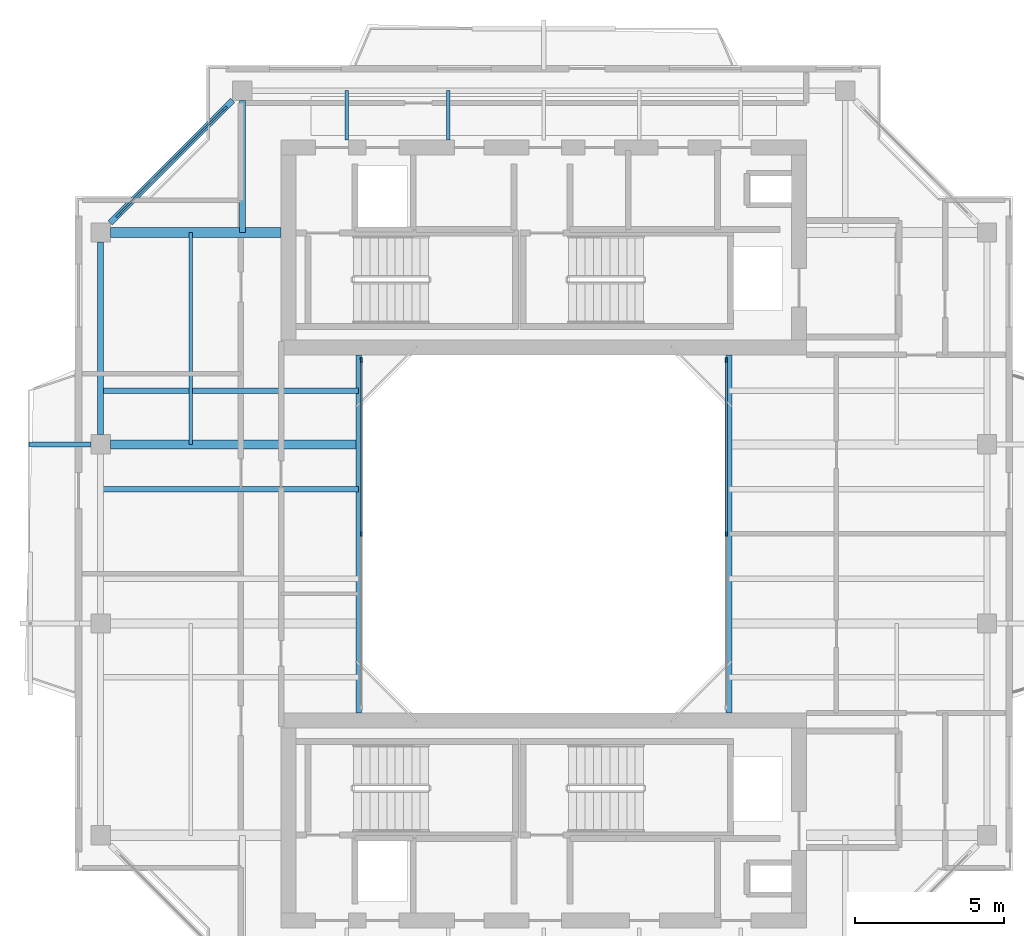
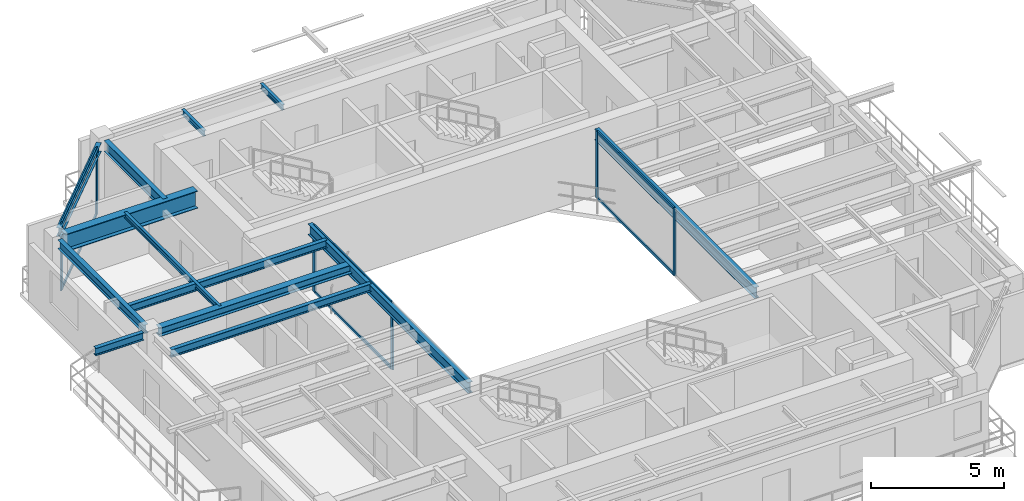
# One storey, part 5 of 15: 13 beams, 12 members, 3 elements without a shape of their own.
"""IFC4 building model written with IfcOpenShell, lengths in metres."""

from ifc_helpers import new_model, si_unit, direction, frame, origin, origin_2d, place, context, subcontext, project, spatial, rectangle, i_section, extrude, source, transform, mapped, material, layer, layer_set, material_profile, profile_set, type_object, element, aggregate, save


model = new_model("IFC4")

# Units and contexts
model_context = context("Model", 3, precision=1e-05, world=origin(), true_north=direction((0.0, 1.0)))
body_context = subcontext(model_context, "Body", "Model", "MODEL_VIEW")
ifc_project = project(units=[si_unit("LENGTHUNIT", "METRE"), si_unit("AREAUNIT", "SQUARE_METRE"), si_unit("VOLUMEUNIT", "CUBIC_METRE"), si_unit("PLANEANGLEUNIT", "RADIAN"), si_unit("MASSUNIT", "GRAM", prefix="KILO"), si_unit("THERMODYNAMICTEMPERATUREUNIT", "KELVIN"), si_unit("POWERUNIT", "WATT")], contexts=[model_context])

# Site, building, storey
site_placement = place(None, origin())
site = spatial("IfcSite", under=ifc_project, at=site_placement, CompositionType="ELEMENT")
building_placement = place(site_placement, origin())
building = spatial("IfcBuilding", under=site, at=building_placement, Name="Qiaomeng Ring Towers", CompositionType="ELEMENT")
storey_placement = place(building_placement, frame((0.0, 0.0, 237.25)))
storey = spatial("IfcBuildingStorey", under=building, at=storey_placement, Name="L69", CompositionType="ELEMENT", Elevation=237.25)

# Beams
ifc_material_1 = material(Name="Steel Q355B", Category="steel")
ifc_material_profile_1 = material_profile(ifc_material_1, i_section(OverallWidth=0.199951171875, OverallDepth=0.5, WebThickness=0.010009765625, FlangeThickness=0.01611328125, FilletRadius=0.02001953125, at=origin_2d()), Name="HN 500x200x10x16")
ifc_profile_set_1 = profile_set([ifc_material_profile_1], Name="Steel Q355B")
beam_type_1 = type_object("IfcBeamType", Name="STR-BM-HN500", PredefinedType="BEAM", material=ifc_profile_set_1)
shared_shape_1 = source(origin(), body_context, "Body", "SweptSolid", [
    extrude(i_section(OverallWidth=0.199951171875, OverallDepth=0.5, WebThickness=0.010009765625, FlangeThickness=0.01611328125, FilletRadius=0.02001953125, at=origin_2d()), origin(), (0.0, 0.0, 1.0), 12.0),
])
for number, where, z_axis, x_axis, name in (
    (1, (12.800048828125, 17.0, 2.820068359375), (0.0, 1.0, 0.0), (-1.0, 0.0, 0.0), "L69 beam STR-BM-L69-WELL-W"),
    (2, (25.199951171875, 17.0, 2.820068359375), (0.0, 1.0, 0.0), (-1.0, 0.0, 0.0), "L69 beam STR-BM-L69-WELL-E"),
):
    element("IfcBeam", number, at=place(storey_placement, frame(where, z_axis=z_axis, x_axis=x_axis)), inside=storey, type_object=beam_type_1, Name=name, PredefinedType="BEAM", context=body_context, shape_type="MappedRepresentation", body=[
        mapped(shared_shape_1, transform((0.0, 0.0, 0.0), x_axis=(1.0, 0.0, 0.0), y_axis=(0.0, 1.0, 0.0), z_axis=(0.0, 0.0, 1.0), scale=1.0)),
    ])
ifc_material_profile_2 = material_profile(ifc_material_1, i_section(OverallWidth=0.198974609375, OverallDepth=0.39599609375, WebThickness=0.007080078125, FlangeThickness=0.010986328125, FilletRadius=0.01611328125, at=origin_2d()), Name="HN 396x199x7x11")
ifc_profile_set_2 = profile_set([ifc_material_profile_2], Name="Steel Q355B")
beam_type_2 = type_object("IfcBeamType", Name="STR-BM-HN396", PredefinedType="SPANDREL", material=ifc_profile_set_2)
shared_shape_2 = source(origin(), body_context, "Body", "SweptSolid", [
    extrude(i_section(OverallWidth=0.198974609375, OverallDepth=0.39599609375, WebThickness=0.007080078125, FlangeThickness=0.010986328125, FilletRadius=0.01611328125, at=origin_2d()), origin(), (0.0, 0.0, 1.0), 5.800048828125),
])
beam_1_placement = place(storey_placement, frame((8.57568359375, 37.525634765625, 2.8720703125), z_axis=(-0.707106781187, -0.707106781187, 0.0), x_axis=(0.707106781187, -0.707106781187, 0.0)))
element("IfcBeam", 3, at=beam_1_placement, inside=storey, type_object=beam_type_2, Name="L69 beam STR-SP-L69-T1-N1-W4", PredefinedType="SPANDREL", context=body_context, shape_type="MappedRepresentation", body=[
    mapped(shared_shape_2, transform((0.0, 0.0, 0.0), x_axis=(1.0, 0.0, 0.0), y_axis=(0.0, 1.0, 0.0), z_axis=(0.0, 0.0, 1.0), scale=1.0)),
])
shared_shape_3 = source(origin(), body_context, "Body", "SweptSolid", [
    extrude(i_section(OverallWidth=0.198974609375, OverallDepth=0.39599609375, WebThickness=0.007080078125, FlangeThickness=0.010986328125, FilletRadius=0.01611328125, at=origin_2d()), origin(), (0.0, 0.0, 1.0), 6.451904296875),
])
beam_2_placement = place(storey_placement, frame((4.14990234375, 32.77587890625, 2.8720703125), z_axis=(0.0, -1.0, 0.0), x_axis=(1.0, 0.0, 0.0)))
element("IfcBeam", 4, at=beam_2_placement, inside=storey, type_object=beam_type_2, Name="L69 beam STR-SP-L69-T1-W4-W3", PredefinedType="SPANDREL", context=body_context, shape_type="MappedRepresentation", body=[
    mapped(shared_shape_3, transform((0.0, 0.0, 0.0), x_axis=(1.0, 0.0, 0.0), y_axis=(0.0, 1.0, 0.0), z_axis=(0.0, 0.0, 1.0), scale=1.0)),
])
ifc_material_2 = material(Name="Steel Q390GJC", Category="steel")
ifc_material_profile_3 = material_profile(ifc_material_2, i_section(OverallWidth=0.35009765625, OverallDepth=0.800048828125, WebThickness=0.01611328125, FlangeThickness=0.028076171875, at=origin_2d()), Name="WH 800x350x16x28")
ifc_profile_set_3 = profile_set([ifc_material_profile_3], Name="Steel Q390GJC")
beam_type_3 = type_object("IfcBeamType", Name="STR-BM-WH800", PredefinedType="BEAM", material=ifc_profile_set_3)
shared_shape_4 = source(origin(), body_context, "Body", "SweptSolid", [
    extrude(i_section(OverallWidth=0.35009765625, OverallDepth=0.800048828125, WebThickness=0.01611328125, FlangeThickness=0.028076171875, at=origin_2d()), origin(), (0.0, 0.0, 1.0), 5.725830078125),
])
beam_3_placement = place(storey_placement, frame((4.47412109375, 33.10009765625, 2.669921875), z_axis=(1.0, 0.0, 0.0), x_axis=(0.0, 1.0, 0.0)))
element("IfcBeam", 5, at=beam_3_placement, inside=storey, type_object=beam_type_3, Name="L69 beam STR-BM-L69-T1-RAD-W4", PredefinedType="BEAM", context=body_context, shape_type="MappedRepresentation", body=[
    mapped(shared_shape_4, transform((0.0, 0.0, 0.0), x_axis=(1.0, 0.0, 0.0), y_axis=(0.0, 1.0, 0.0), z_axis=(0.0, 0.0, 1.0), scale=1.0)),
])
ifc_material_profile_4 = material_profile(ifc_material_1, i_section(OverallWidth=0.198974609375, OverallDepth=0.49609375, WebThickness=0.009033203125, FlangeThickness=0.013916015625, FilletRadius=0.01806640625, at=origin_2d()), Name="HN 496x199x9x14")
ifc_profile_set_4 = profile_set([ifc_material_profile_4], Name="Steel Q355B")
beam_type_4 = type_object("IfcBeamType", Name="STR-BM-HN496", PredefinedType="BEAM", material=ifc_profile_set_4)
shared_shape_5 = source(origin(), body_context, "Body", "SweptSolid", [
    extrude(i_section(OverallWidth=0.198974609375, OverallDepth=0.49609375, WebThickness=0.009033203125, FlangeThickness=0.013916015625, FilletRadius=0.01806640625, at=origin_2d()), origin(), (0.0, 0.0, 1.0), 4.42578125),
])
beam_4_placement = place(storey_placement, frame((8.89990234375, 37.52587890625, 2.822021484375), z_axis=(0.0, -1.0, 0.0), x_axis=(1.0, 0.0, 0.0)))
element("IfcBeam", 6, at=beam_4_placement, inside=storey, type_object=beam_type_4, Name="L69 beam STR-BM-L69-T1-RAD-N1", PredefinedType="BEAM", context=body_context, shape_type="MappedRepresentation", body=[
    mapped(shared_shape_5, transform((0.0, 0.0, 0.0), x_axis=(1.0, 0.0, 0.0), y_axis=(0.0, 1.0, 0.0), z_axis=(0.0, 0.0, 1.0), scale=1.0)),
])
ifc_material_profile_5 = material_profile(ifc_material_1, i_section(OverallWidth=0.300048828125, OverallDepth=0.389892578125, WebThickness=0.010009765625, FlangeThickness=0.01611328125, FilletRadius=0.02197265625, at=origin_2d()), Name="HM 390x300x10x16")
ifc_profile_set_5 = profile_set([ifc_material_profile_5], Name="Steel Q355B")
beam_type_5 = type_object("IfcBeamType", Name="STR-BM-HM390", PredefinedType="BEAM", material=ifc_profile_set_5)
shared_shape_6 = source(origin(), body_context, "Body", "SweptSolid", [
    extrude(i_section(OverallWidth=0.300048828125, OverallDepth=0.389892578125, WebThickness=0.010009765625, FlangeThickness=0.01611328125, FilletRadius=0.02197265625, at=origin_2d()), origin(), (0.0, 0.0, 1.0), 8.325927734375),
])
beam_5_placement = place(storey_placement, frame((4.47412109375, 26.0, 2.875), z_axis=(1.0, 0.0, 0.0), x_axis=(0.0, 1.0, 0.0)))
element("IfcBeam", 7, at=beam_5_placement, inside=storey, type_object=beam_type_5, Name="L69 beam STR-BM-L69-T1-RAD-W3", PredefinedType="BEAM", context=body_context, shape_type="MappedRepresentation", body=[
    mapped(shared_shape_6, transform((0.0, 0.0, 0.0), x_axis=(1.0, 0.0, 0.0), y_axis=(0.0, 1.0, 0.0), z_axis=(0.0, 0.0, 1.0), scale=1.0)),
])
ifc_material_profile_6 = material_profile(ifc_material_1, i_section(OverallWidth=0.125, OverallDepth=0.25, WebThickness=0.006103515625, FlangeThickness=0.009033203125, FilletRadius=0.011962890625, at=origin_2d()), Name="HN 250x125x6x9")
ifc_profile_set_6 = profile_set([ifc_material_profile_6], Name="Steel Q355B")
beam_type_6 = type_object("IfcBeamType", Name="STR-BM-HN250", PredefinedType="JOIST", material=ifc_profile_set_6)
shared_shape_7 = source(origin(), body_context, "Body", "SweptSolid", [
    extrude(i_section(OverallWidth=0.125, OverallDepth=0.25, WebThickness=0.006103515625, FlangeThickness=0.009033203125, FilletRadius=0.011962890625, at=origin_2d()), origin(), (0.0, 0.0, 1.0), 1.650146484375),
])
for number, where, z_axis, x_axis, name in (
    (8, (12.39990234375, 36.199951171875, 2.945068359375), (0.0, 1.0, 0.0), (-1.0, 0.0, 0.0), "L69 beam STR-JST-L69-T1N-1"),
    (9, (15.800048828125, 36.199951171875, 2.945068359375), (0.0, 1.0, 0.0), (-1.0, 0.0, 0.0), "L69 beam STR-JST-L69-T1N-2"),
):
    element("IfcBeam", number, at=place(storey_placement, frame(where, z_axis=z_axis, x_axis=x_axis)), inside=storey, type_object=beam_type_6, Name=name, PredefinedType="JOIST", context=body_context, shape_type="MappedRepresentation", body=[
        mapped(shared_shape_7, transform((0.0, 0.0, 0.0), x_axis=(1.0, 0.0, 0.0), y_axis=(0.0, 1.0, 0.0), z_axis=(0.0, 0.0, 1.0), scale=1.0)),
    ])
ifc_material_profile_7 = material_profile(ifc_material_1, i_section(OverallWidth=0.175048828125, OverallDepth=0.35009765625, WebThickness=0.007080078125, FlangeThickness=0.010986328125, FilletRadius=0.013916015625, at=origin_2d()), Name="HN 350x175x7x11")
ifc_profile_set_7 = profile_set([ifc_material_profile_7], Name="Steel Q355B")
beam_type_7 = type_object("IfcBeamType", Name="STR-BM-HN350", PredefinedType="JOIST", material=ifc_profile_set_7)
shared_shape_8 = source(origin(), body_context, "Body", "SweptSolid", [
    extrude(i_section(OverallWidth=0.175048828125, OverallDepth=0.35009765625, WebThickness=0.007080078125, FlangeThickness=0.010986328125, FilletRadius=0.013916015625, at=origin_2d()), origin(), (0.0, 0.0, 1.0), 8.650146484375),
])
for number, where, z_axis, x_axis, name in (
    (10, (4.14990234375, 24.5, 2.89501953125), (1.0, 0.0, 0.0), (0.0, 1.0, 0.0), "L69 beam STR-JST-L69-T1W-3"),
    (11, (4.14990234375, 27.800048828125, 2.89501953125), (1.0, 0.0, 0.0), (0.0, 1.0, 0.0), "L69 beam STR-JST-L69-T1W-4"),
):
    element("IfcBeam", number, at=place(storey_placement, frame(where, z_axis=z_axis, x_axis=x_axis)), inside=storey, type_object=beam_type_7, Name=name, PredefinedType="JOIST", context=body_context, shape_type="MappedRepresentation", body=[
        mapped(shared_shape_8, transform((0.0, 0.0, 0.0), x_axis=(1.0, 0.0, 0.0), y_axis=(0.0, 1.0, 0.0), z_axis=(0.0, 0.0, 1.0), scale=1.0)),
    ])
shared_shape_9 = source(origin(), body_context, "Body", "SweptSolid", [
    extrude(i_section(OverallWidth=0.125, OverallDepth=0.25, WebThickness=0.006103515625, FlangeThickness=0.009033203125, FilletRadius=0.011962890625, at=origin_2d()), origin(), (0.0, 0.0, 1.0), 7.10009765625),
])
beam_6_placement = place(storey_placement, frame((7.175048828125, 26.0, 2.945068359375), z_axis=(0.0, 1.0, 0.0), x_axis=(-1.0, 0.0, 0.0)))
element("IfcBeam", 12, at=beam_6_placement, inside=storey, type_object=beam_type_6, Name="L69 beam STR-JST-L69-T1C-WN", PredefinedType="JOIST", context=body_context, shape_type="MappedRepresentation", body=[
    mapped(shared_shape_9, transform((0.0, 0.0, 0.0), x_axis=(1.0, 0.0, 0.0), y_axis=(0.0, 1.0, 0.0), z_axis=(0.0, 0.0, 1.0), scale=1.0)),
])
shared_shape_10 = source(origin(), body_context, "Body", "SweptSolid", [
    extrude(i_section(OverallWidth=0.175048828125, OverallDepth=0.35009765625, WebThickness=0.007080078125, FlangeThickness=0.010986328125, FilletRadius=0.013916015625, at=origin_2d()), origin(), (0.0, 0.0, 1.0), 2.075927734375),
])
beam_7_placement = place(storey_placement, frame((1.75, 26.0, 2.89501953125), z_axis=(1.0, 0.0, 0.0), x_axis=(0.0, 1.0, 0.0)))
element("IfcBeam", 13, at=beam_7_placement, inside=storey, type_object=beam_type_7, Name="L69 beam STR-BALBM-L69-W3", PredefinedType="JOIST", context=body_context, shape_type="MappedRepresentation", body=[
    mapped(shared_shape_10, transform((0.0, 0.0, 0.0), x_axis=(1.0, 0.0, 0.0), y_axis=(0.0, 1.0, 0.0), z_axis=(0.0, 0.0, 1.0), scale=1.0)),
])

# Curtain wall, members
ifc_material_3 = material(Name="Fluorocarbon dark-grey aluminium", Category="aluminium")
ifc_layer_1 = layer(ifc_material_3, 0.139892578125, Name="Fluorocarbon dark-grey aluminium")
ifc_layer_set_1 = layer_set([ifc_layer_1], Name="Fluorocarbon dark-grey aluminium")
curtain_wall_type_1 = type_object("IfcCurtainWallType", Name="ARC-CW-4", PredefinedType="NOTDEFINED", material=ifc_layer_set_1)
curtain_wall_1_placement = place(storey_placement, origin())
curtain_wall_1 = element("IfcCurtainWall", 14, at=curtain_wall_1_placement, inside=storey, type_object=curtain_wall_type_1, Name="L69 Curtain Wall CW4", PredefinedType="NOTDEFINED")
ifc_material_profile_8 = material_profile(ifc_material_3, rectangle(XDim=0.06494140625, YDim=0.159912109375, at=origin_2d()), Name="ALU MULL 65x160")
ifc_profile_set_8 = profile_set([ifc_material_profile_8], Name="Fluorocarbon dark-grey aluminium")
member_type_1 = type_object("IfcMemberType", Name="ARC-CWM-140", PredefinedType="MULLION", material=ifc_profile_set_8)
shared_shape_11 = source(origin(), body_context, "Body", "SweptSolid", [
    extrude(rectangle(XDim=0.06494140625, YDim=0.159912109375, at=origin_2d()), origin(), (0.0, 0.0, 1.0), 3.070068359375),
])
member_1_placement = place(storey_placement, frame((12.8798828125, 23.0, 0.0), z_axis=(0.0, 0.0, 1.0), x_axis=(-1.0, 0.0, 0.0)))
member_1 = element("IfcMember", 15, at=member_1_placement, type_object=member_type_1, Name="CW4 mullion 2", PredefinedType="MULLION", context=body_context, shape_type="MappedRepresentation", body=[
    mapped(shared_shape_11, transform((0.0, 0.0, 0.0), x_axis=(1.0, 0.0, 0.0), y_axis=(0.0, 1.0, 0.0), z_axis=(0.0, 0.0, 1.0), scale=1.0)),
])
member_2_placement = place(storey_placement, frame((12.8798828125, 28.8173828125, 0.0), z_axis=(0.0, 0.0, 1.0), x_axis=(-1.0, 0.0, 0.0)))
member_2 = element("IfcMember", 16, at=member_2_placement, type_object=member_type_1, Name="CW4 mullion 3", PredefinedType="MULLION", context=body_context, shape_type="MappedRepresentation", body=[
    mapped(shared_shape_11, transform((0.0, 0.0, 0.0), x_axis=(1.0, 0.0, 0.0), y_axis=(0.0, 1.0, 0.0), z_axis=(0.0, 0.0, 1.0), scale=1.0)),
])

curtain_wall_2_placement = place(storey_placement, origin())
curtain_wall_2 = element("IfcCurtainWall", 17, at=curtain_wall_2_placement, inside=storey, type_object=curtain_wall_type_1, Name="L69 Curtain Wall CW4", PredefinedType="NOTDEFINED")
member_3_placement = place(storey_placement, frame((25.1201171875, 23.0, 0.0), z_axis=(0.0, 0.0, 1.0), x_axis=(-1.0, 0.0, 0.0)))
member_3 = element("IfcMember", 18, at=member_3_placement, type_object=member_type_1, Name="CW4 mullion 2", PredefinedType="MULLION", context=body_context, shape_type="MappedRepresentation", body=[
    mapped(shared_shape_11, transform((0.0, 0.0, 0.0), x_axis=(1.0, 0.0, 0.0), y_axis=(0.0, 1.0, 0.0), z_axis=(0.0, 0.0, 1.0), scale=1.0)),
])
member_4_placement = place(storey_placement, frame((25.1201171875, 28.8173828125, 0.0), z_axis=(0.0, 0.0, 1.0), x_axis=(-1.0, 0.0, 0.0)))
member_4 = element("IfcMember", 19, at=member_4_placement, type_object=member_type_1, Name="CW4 mullion 3", PredefinedType="MULLION", context=body_context, shape_type="MappedRepresentation", body=[
    mapped(shared_shape_11, transform((0.0, 0.0, 0.0), x_axis=(1.0, 0.0, 0.0), y_axis=(0.0, 1.0, 0.0), z_axis=(0.0, 0.0, 1.0), scale=1.0)),
])

# Member
ifc_material_profile_9 = material_profile(ifc_material_3, rectangle(XDim=0.06494140625, YDim=0.1298828125, at=origin_2d()), Name="ALU TRAN 65x130")
ifc_profile_set_9 = profile_set([ifc_material_profile_9], Name="Fluorocarbon dark-grey aluminium")
member_type_2 = type_object("IfcMemberType", Name="ARC-CWT-120", PredefinedType="USERDEFINED", material=ifc_profile_set_9)
shared_shape_12 = source(origin(), body_context, "Body", "SweptSolid", [
    extrude(rectangle(XDim=0.06494140625, YDim=0.1298828125, at=origin_2d()), origin(), (0.0, 0.0, 1.0), 5.75244140625),
])
member_5_placement = place(storey_placement, frame((12.8798828125, 23.032470703125, 0.032470703125), z_axis=(0.0, 1.0, 0.0), x_axis=(-1.0, 0.0, 0.0)))
member_5 = element("IfcMember", 20, at=member_5_placement, type_object=member_type_2, Name="CW4 transom 2.1", ObjectType="TRANSOM", PredefinedType="USERDEFINED", context=body_context, shape_type="MappedRepresentation", body=[
    mapped(shared_shape_12, transform((0.0, 0.0, 0.0), x_axis=(1.0, 0.0, 0.0), y_axis=(0.0, 1.0, 0.0), z_axis=(0.0, 0.0, 1.0), scale=1.0)),
])

member_6_placement = place(storey_placement, frame((12.8798828125, 23.032470703125, 3.03759765625), z_axis=(0.0, 1.0, 0.0), x_axis=(-1.0, 0.0, 0.0)))
member_6 = element("IfcMember", 21, at=member_6_placement, type_object=member_type_2, Name="CW4 transom 2.2", ObjectType="TRANSOM", PredefinedType="USERDEFINED", context=body_context, shape_type="MappedRepresentation", body=[
    mapped(shared_shape_12, transform((0.0, 0.0, 0.0), x_axis=(1.0, 0.0, 0.0), y_axis=(0.0, 1.0, 0.0), z_axis=(0.0, 0.0, 1.0), scale=1.0)),
])

aggregate(curtain_wall_1, [member_1, member_2, member_5, member_6])

member_7_placement = place(storey_placement, frame((25.1201171875, 23.032470703125, 0.032470703125), z_axis=(0.0, 1.0, 0.0), x_axis=(-1.0, 0.0, 0.0)))
member_7 = element("IfcMember", 22, at=member_7_placement, type_object=member_type_2, Name="CW4 transom 2.1", ObjectType="TRANSOM", PredefinedType="USERDEFINED", context=body_context, shape_type="MappedRepresentation", body=[
    mapped(shared_shape_12, transform((0.0, 0.0, 0.0), x_axis=(1.0, 0.0, 0.0), y_axis=(0.0, 1.0, 0.0), z_axis=(0.0, 0.0, 1.0), scale=1.0)),
])

member_8_placement = place(storey_placement, frame((25.1201171875, 23.032470703125, 3.03759765625), z_axis=(0.0, 1.0, 0.0), x_axis=(-1.0, 0.0, 0.0)))
member_8 = element("IfcMember", 23, at=member_8_placement, type_object=member_type_2, Name="CW4 transom 2.2", ObjectType="TRANSOM", PredefinedType="USERDEFINED", context=body_context, shape_type="MappedRepresentation", body=[
    mapped(shared_shape_12, transform((0.0, 0.0, 0.0), x_axis=(1.0, 0.0, 0.0), y_axis=(0.0, 1.0, 0.0), z_axis=(0.0, 0.0, 1.0), scale=1.0)),
])

aggregate(curtain_wall_2, [member_3, member_4, member_7, member_8])

# Curtain wall, members
ifc_layer_2 = layer(ifc_material_3, 0.14990234375, Name="Fluorocarbon dark-grey aluminium")
ifc_layer_set_2 = layer_set([ifc_layer_2], Name="Fluorocarbon dark-grey aluminium")
curtain_wall_type_2 = type_object("IfcCurtainWallType", Name="ARC-CW-3", PredefinedType="NOTDEFINED", material=ifc_layer_set_2)
curtain_wall_3_placement = place(storey_placement, origin())
curtain_wall_3 = element("IfcCurtainWall", 24, at=curtain_wall_3_placement, inside=storey, type_object=curtain_wall_type_2, Name="L69 Curtain Wall CW3", PredefinedType="NOTDEFINED")
ifc_material_profile_10 = material_profile(ifc_material_3, rectangle(XDim=0.070068359375, YDim=0.179931640625, at=origin_2d()), Name="ALU MULL 70x180")
ifc_profile_set_10 = profile_set([ifc_material_profile_10], Name="Fluorocarbon dark-grey aluminium")
member_type_3 = type_object("IfcMemberType", Name="ARC-CWM-160", PredefinedType="MULLION", material=ifc_profile_set_10)
shared_shape_13 = source(origin(), body_context, "Body", "SweptSolid", [
    extrude(rectangle(XDim=0.070068359375, YDim=0.179931640625, at=origin_2d()), origin(), (0.0, 0.0, 1.0), 3.070068359375),
])
member_9_placement = place(storey_placement, frame((8.310302734375, 37.26025390625, 0.0), z_axis=(0.0, 0.0, 1.0), x_axis=(0.707106781187, -0.707106781187, 0.0)))
member_9 = element("IfcMember", 25, at=member_9_placement, type_object=member_type_3, Name="CW3 mullion 1", PredefinedType="MULLION", context=body_context, shape_type="MappedRepresentation", body=[
    mapped(shared_shape_13, transform((0.0, 0.0, 0.0), x_axis=(1.0, 0.0, 0.0), y_axis=(0.0, 1.0, 0.0), z_axis=(0.0, 0.0, 1.0), scale=1.0)),
])
member_10_placement = place(storey_placement, frame((4.73974609375, 33.689697265625, 0.0), z_axis=(0.0, 0.0, 1.0), x_axis=(0.707106781187, -0.707106781187, 0.0)))
member_10 = element("IfcMember", 26, at=member_10_placement, type_object=member_type_3, Name="CW3 mullion 2", PredefinedType="MULLION", context=body_context, shape_type="MappedRepresentation", body=[
    mapped(shared_shape_13, transform((0.0, 0.0, 0.0), x_axis=(1.0, 0.0, 0.0), y_axis=(0.0, 1.0, 0.0), z_axis=(0.0, 0.0, 1.0), scale=1.0)),
])
shared_shape_14 = source(origin(), body_context, "Body", "SweptSolid", [
    extrude(rectangle(XDim=0.06494140625, YDim=0.1298828125, at=origin_2d()), origin(), (0.0, 0.0, 1.0), 4.9794921875),
])
member_11_placement = place(storey_placement, frame((8.285400390625, 37.235595703125, 0.032470703125), z_axis=(-0.707106781187, -0.707106781187, 0.0), x_axis=(0.707106781187, -0.707106781187, 0.0)))
member_11 = element("IfcMember", 27, at=member_11_placement, type_object=member_type_2, Name="CW3 transom 1.1", ObjectType="TRANSOM", PredefinedType="USERDEFINED", context=body_context, shape_type="MappedRepresentation", body=[
    mapped(shared_shape_14, transform((0.0, 0.0, 0.0), x_axis=(1.0, 0.0, 0.0), y_axis=(0.0, 1.0, 0.0), z_axis=(0.0, 0.0, 1.0), scale=1.0)),
])
member_12_placement = place(storey_placement, frame((8.285400390625, 37.235595703125, 3.03759765625), z_axis=(-0.707106781187, -0.707106781187, 0.0), x_axis=(0.707106781187, -0.707106781187, 0.0)))
member_12 = element("IfcMember", 28, at=member_12_placement, type_object=member_type_2, Name="CW3 transom 1.2", ObjectType="TRANSOM", PredefinedType="USERDEFINED", context=body_context, shape_type="MappedRepresentation", body=[
    mapped(shared_shape_14, transform((0.0, 0.0, 0.0), x_axis=(1.0, 0.0, 0.0), y_axis=(0.0, 1.0, 0.0), z_axis=(0.0, 0.0, 1.0), scale=1.0)),
])
aggregate(curtain_wall_3, [member_9, member_10, member_11, member_12])

save(model, "model.ifc")
